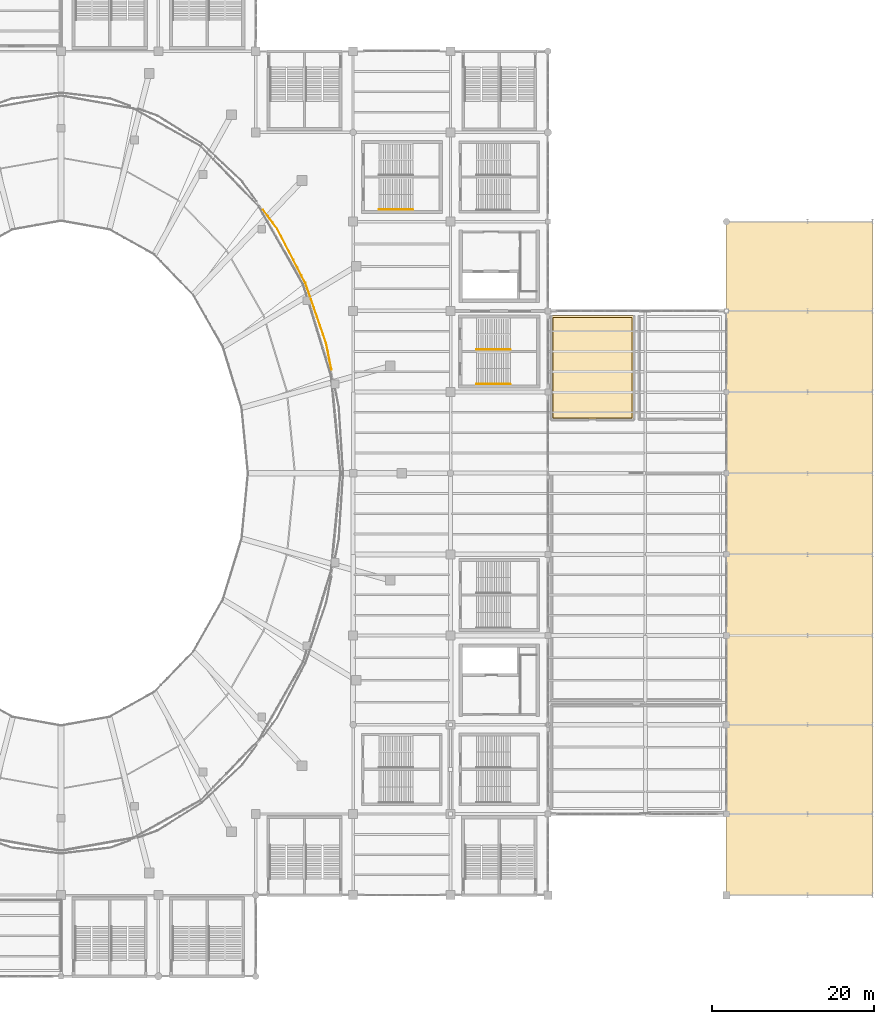
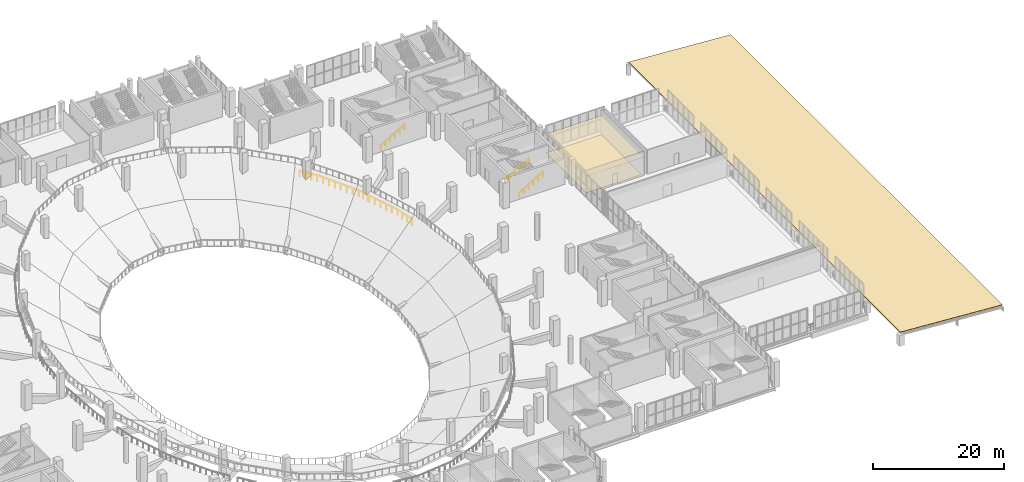
# One storey, part 134 of 136: 5 railings, 3 coverings.
"""IFC4 building model written with IfcOpenShell, lengths in metres."""

from ifc_helpers import new_model, si_unit, direction, frame, origin, origin_2d, place, context, subcontext, project, spatial, polyline, circle, outline, extrude, material, layer, layer_set, type_object, element, save


model = new_model("IFC4")

# Units and contexts
model_context = context("Model", 3, precision=1e-05, world=origin(), true_north=direction((0.0, 1.0)))
body_context = subcontext(model_context, "Body", "Model", "MODEL_VIEW")
ifc_project = project(units=[si_unit("LENGTHUNIT", "METRE"), si_unit("AREAUNIT", "SQUARE_METRE"), si_unit("VOLUMEUNIT", "CUBIC_METRE"), si_unit("PLANEANGLEUNIT", "RADIAN"), si_unit("MASSUNIT", "GRAM", prefix="KILO")], contexts=[model_context])

# Site, building, storey
site_placement = place(None, origin())
site = spatial("IfcSite", under=ifc_project, at=site_placement, CompositionType="ELEMENT")
building_placement = place(site_placement, origin())
building = spatial("IfcBuilding", under=site, at=building_placement, Name="Brinegate Civic Arena", CompositionType="ELEMENT")
storey_placement = place(building_placement, frame((0.0, 0.0, 5.39990234375)))
storey = spatial("IfcBuildingStorey", under=building, at=storey_placement, Name="L01", CompositionType="ELEMENT", Elevation=5.39990234375)

# Coverings
ifc_material_1 = material(Name="Acoustic perforated aluminium ceiling", Category="aluminium")
ifc_layer_1 = layer(ifc_material_1, 0.02490234375, Name="Acoustic perforated aluminium ceiling")
ifc_layer_set_1 = layer_set([ifc_layer_1], Name="Acoustic perforated aluminium ceiling")
covering_type_1 = type_object("IfcCoveringType", Name="CEILING-ACOUSTIC-25", PredefinedType="CEILING", material=ifc_layer_set_1)
covering_1_placement = place(storey_placement, frame((0.0, 0.0, 3.3251953125)))
element("IfcCovering", 1, at=covering_1_placement, inside=storey, type_object=covering_type_1, Name="Acoustic Ceiling L01-011", PredefinedType="CEILING", context=body_context, shape_type="SweptSolid", body=[
    extrude(outline(polyline([(178.60400390625, 81.419921875), (178.60595703125, 81.4189453125), (178.60791015625, 81.41796875), (178.60888671875, 81.41796875), (178.611083984375, 81.4169921875), (178.613037109375, 81.4150390625), (178.614013671875, 81.4140625), (178.614990234375, 81.4130859375), (178.616943359375, 81.410888671875), (178.617919921875, 81.408935546875), (178.617919921875, 81.407958984375), (178.618896484375, 81.406005859375), (178.6201171875, 81.404052734375), (178.6201171875, 81.402099609375), (178.6201171875, 81.39990234375), (178.6201171875, 68.60009765625), (178.6201171875, 68.597900390625), (178.6201171875, 68.595947265625), (178.618896484375, 68.593994140625), (178.617919921875, 68.592041015625), (178.617919921875, 68.591064453125), (178.616943359375, 68.589111328125), (178.614990234375, 68.5869140625), (178.614013671875, 68.5859375), (178.613037109375, 68.5849609375), (178.611083984375, 68.5830078125), (178.60888671875, 68.58203125), (178.60791015625, 68.58203125), (178.60595703125, 68.5810546875), (178.60400390625, 68.580078125), (178.60205078125, 68.580078125), (178.60009765625, 68.580078125), (168.39990234375, 68.580078125), (168.39794921875, 68.580078125), (168.39599609375, 68.580078125), (168.39404296875, 68.5810546875), (168.39208984375, 68.58203125), (168.39111328125, 68.58203125), (168.388916015625, 68.5830078125), (168.386962890625, 68.5849609375), (168.385986328125, 68.5859375), (168.385009765625, 68.5869140625), (168.383056640625, 68.589111328125), (168.382080078125, 68.591064453125), (168.382080078125, 68.592041015625), (168.381103515625, 68.593994140625), (168.3798828125, 68.595947265625), (168.3798828125, 68.597900390625), (168.3798828125, 68.60009765625), (168.3798828125, 71.614990234375), (168.385009765625, 71.614990234375), (168.385009765625, 72.385009765625), (168.3798828125, 72.385009765625), (168.3798828125, 81.39990234375), (168.3798828125, 81.402099609375), (168.3798828125, 81.404052734375), (168.381103515625, 81.406005859375), (168.382080078125, 81.407958984375), (168.382080078125, 81.408935546875), (168.383056640625, 81.410888671875), (168.385009765625, 81.4130859375), (168.385986328125, 81.4140625), (168.386962890625, 81.4150390625), (168.388916015625, 81.4169921875), (168.39111328125, 81.41796875), (168.39208984375, 81.41796875), (168.39404296875, 81.4189453125), (168.39599609375, 81.419921875), (168.39794921875, 81.419921875), (168.39990234375, 81.419921875), (178.60009765625, 81.419921875), (178.60205078125, 81.419921875), (178.60400390625, 81.419921875)])), origin(), (0.0, 0.0, 1.0), 0.02490234375),
])
ifc_material_2 = material(Name="Slip-resistant porcelain tile flooring")
ifc_layer_2 = layer(ifc_material_2, 0.02001953125, Name="Slip-resistant porcelain tile flooring")
ifc_layer_set_2 = layer_set([ifc_layer_2], Name="Slip-resistant porcelain tile flooring")
covering_type_2 = type_object("IfcCoveringType", Name="FLOORING-PORCELAIN-20", PredefinedType="FLOORING", material=ifc_layer_set_2)
covering_2_placement = place(storey_placement, origin())
element("IfcCovering", 2, at=covering_2_placement, inside=storey, type_object=covering_type_2, Name="Flooring L01-011", PredefinedType="FLOORING", context=body_context, shape_type="SweptSolid", body=[
    extrude(outline(polyline([(168.6298828125, 68.830078125), (168.6298828125, 71.56494140625), (168.6298828125, 71.56591796875), (168.634033203125, 71.590087890625), (168.635009765625, 71.614990234375), (168.635009765625, 72.385009765625), (168.634033203125, 72.409912109375), (168.6298828125, 72.43408203125), (168.6298828125, 72.43505859375), (168.6298828125, 81.169921875), (178.3701171875, 81.169921875), (178.3701171875, 68.830078125), (168.6298828125, 68.830078125)])), origin(), (0.0, 0.0, 1.0), 0.02001953125),
])

# Railings
ifc_material_3 = material(Name="Architectural stainless steel balustrade", Category="steel")
railing_type_1 = type_object("IfcRailingType", Name="RAIL-STAIR-HANDRAIL-900", PredefinedType="HANDRAIL", material=ifc_material_3)
for number, where, name in (
    (3, (159.169921875, 72.97509765625, 0.0), "Stair Pitch Handrail ST-09A L01"),
    (4, (159.169921875, 77.22509765625, 0.0), "Stair Pitch Handrail ST-09B L01"),
    (5, (147.169921875, 94.47509765625, 0.0), "Stair Pitch Handrail ST-18A L01"),
):
    element("IfcRailing", number, at=place(storey_placement, frame(where)), inside=storey, type_object=railing_type_1, Name=name, PredefinedType="HANDRAIL", context=body_context, shape_type="SweptSolid", body=[
        extrude(circle(Radius=0.02392578125, at=origin_2d()), frame((0.001220703125, 0.0, 0.876708984375), z_axis=(0.868240036425, 0.0, 0.496144373291), x_axis=(0.0, 1.0, 0.0)), (0.0, 0.0, 1.0), 4.834716796875),
        extrude(circle(Radius=0.02099609375, at=origin_2d()), origin(), (0.0, 0.0, 1.0), 0.849853515625),
        extrude(circle(Radius=0.02099609375, at=origin_2d()), frame((0.840087890625, 0.0, 0.47998046875)), (0.0, 0.0, 1.0), 0.849853515625),
        extrude(circle(Radius=0.02099609375, at=origin_2d()), frame((1.68017578125, 0.0, 0.9599609375)), (0.0, 0.0, 1.0), 0.849853515625),
        extrude(circle(Radius=0.02099609375, at=origin_2d()), frame((2.52001953125, 0.0, 1.440185546875)), (0.0, 0.0, 1.0), 0.849853515625),
        extrude(circle(Radius=0.02099609375, at=origin_2d()), frame((3.360107421875, 0.0, 1.920166015625)), (0.0, 0.0, 1.0), 0.849853515625),
        extrude(circle(Radius=0.02099609375, at=origin_2d()), frame((4.2001953125, 0.0, 2.400146484375)), (0.0, 0.0, 1.0), 0.849853515625),
    ])
railing_type_2 = type_object("IfcRailingType", Name="RAIL-VOID-BALUSTRADE-1120", PredefinedType="BALUSTRADE", material=ifc_material_3)
railing_1_placement = place(storey_placement, frame((141.31689453125, 74.7919921875, 0.0)))
element("IfcRailing", 6, at=railing_1_placement, inside=storey, type_object=railing_type_2, Name="Deck Edge Balustrade L01-095", PredefinedType="BALUSTRADE", context=body_context, shape_type="SweptSolid", body=[
    extrude(circle(Radius=0.02392578125, at=origin_2d()), frame((-0.000244140625, 0.00146484375, 1.09619140625), z_axis=(-0.194675467696, 0.980867708856, 0.0), x_axis=(-0.980867708856, -0.194675467696, 0.0)), (0.0, 0.0, 1.0), 3.2890625),
    extrude(circle(Radius=0.02392578125, at=origin_2d()), frame((-0.641357421875, 3.23046875, 1.09619140625), z_axis=(-0.326766228927, 0.945105196067, 0.0), x_axis=(-0.945105196067, -0.326766228927, 0.0)), (0.0, 0.0, 1.0), 5.72021484375),
    extrude(circle(Radius=0.02099609375, at=origin_2d()), origin(), (0.0, 0.0, 1.0), 1.070068359375),
    extrude(circle(Radius=0.02099609375, at=origin_2d()), frame((-0.213623046875, 1.076416015625, 0.0)), (0.0, 0.0, 1.0), 1.070068359375),
    extrude(circle(Radius=0.02099609375, at=origin_2d()), frame((-0.42724609375, 2.152587890625, 0.0)), (0.0, 0.0, 1.0), 1.070068359375),
    extrude(circle(Radius=0.02099609375, at=origin_2d()), frame((-0.640869140625, 3.22900390625, 0.0)), (0.0, 0.0, 1.0), 1.070068359375),
    extrude(circle(Radius=0.02099609375, at=origin_2d()), frame((-1.014892578125, 4.310791015625, 0.0)), (0.0, 0.0, 1.0), 1.070068359375),
    extrude(circle(Radius=0.02099609375, at=origin_2d()), frame((-1.388916015625, 5.392578125, 0.0)), (0.0, 0.0, 1.0), 1.070068359375),
    extrude(circle(Radius=0.02099609375, at=origin_2d()), frame((-1.762939453125, 6.474365234375, 0.0)), (0.0, 0.0, 1.0), 1.070068359375),
    extrude(circle(Radius=0.02099609375, at=origin_2d()), frame((-2.136962890625, 7.55615234375, 0.0)), (0.0, 0.0, 1.0), 1.070068359375),
    extrude(circle(Radius=0.02099609375, at=origin_2d()), frame((-2.510986328125, 8.637939453125, 0.0)), (0.0, 0.0, 1.0), 1.070068359375),
])
railing_2_placement = place(storey_placement, frame((138.697021484375, 83.7451171875, 0.0)))
element("IfcRailing", 7, at=railing_2_placement, inside=storey, type_object=railing_type_2, Name="Deck Edge Balustrade L01-096", PredefinedType="BALUSTRADE", context=body_context, shape_type="SweptSolid", body=[
    extrude(circle(Radius=0.02392578125, at=origin_2d()), frame((-0.00048828125, 0.00146484375, 1.09619140625), z_axis=(-0.3267279746, 0.945118421476, 0.0), x_axis=(-0.945118421476, -0.3267279746, 0.0)), (0.0, 0.0, 1.0), 1.7724609375),
    extrude(circle(Radius=0.02392578125, at=origin_2d()), frame((-0.580810546875, 1.67919921875, 1.09619140625), z_axis=(-0.460686741804, 0.887562801117, 0.0), x_axis=(-0.887562801117, -0.460686741804, 0.0)), (0.0, 0.0, 1.0), 7.53564453125),
    extrude(circle(Radius=0.02392578125, at=origin_2d()), frame((-4.053955078125, 8.3701171875, 1.09619140625), z_axis=(-0.595077526965, 0.803668300296, 0.0), x_axis=(-0.803668300296, -0.595077526965, 0.0)), (0.0, 0.0, 1.0), 2.916015625),
    extrude(circle(Radius=0.02099609375, at=origin_2d()), origin(), (0.0, 0.0, 1.0), 1.070068359375),
    extrude(circle(Radius=0.02099609375, at=origin_2d()), frame((-0.2900390625, 0.8388671875, 0.0)), (0.0, 0.0, 1.0), 1.070068359375),
    extrude(circle(Radius=0.02099609375, at=origin_2d()), frame((-0.580078125, 1.677978515625, 0.0)), (0.0, 0.0, 1.0), 1.070068359375),
    extrude(circle(Radius=0.02099609375, at=origin_2d()), frame((-1.076171875, 2.6337890625, 0.0)), (0.0, 0.0, 1.0), 1.070068359375),
    extrude(circle(Radius=0.02099609375, at=origin_2d()), frame((-1.572265625, 3.589599609375, 0.0)), (0.0, 0.0, 1.0), 1.070068359375),
    extrude(circle(Radius=0.02099609375, at=origin_2d()), frame((-2.068359375, 4.54541015625, 0.0)), (0.0, 0.0, 1.0), 1.070068359375),
    extrude(circle(Radius=0.02099609375, at=origin_2d()), frame((-2.564697265625, 5.50146484375, 0.0)), (0.0, 0.0, 1.0), 1.070068359375),
    extrude(circle(Radius=0.02099609375, at=origin_2d()), frame((-3.060791015625, 6.457275390625, 0.0)), (0.0, 0.0, 1.0), 1.070068359375),
    extrude(circle(Radius=0.02099609375, at=origin_2d()), frame((-3.556884765625, 7.4130859375, 0.0)), (0.0, 0.0, 1.0), 1.070068359375),
    extrude(circle(Radius=0.02099609375, at=origin_2d()), frame((-4.052978515625, 8.368896484375, 0.0)), (0.0, 0.0, 1.0), 1.070068359375),
    extrude(circle(Radius=0.02099609375, at=origin_2d()), frame((-4.632080078125, 9.15087890625, 0.0)), (0.0, 0.0, 1.0), 1.070068359375),
    extrude(circle(Radius=0.02099609375, at=origin_2d()), frame((-5.2109375, 9.932861328125, 0.0)), (0.0, 0.0, 1.0), 1.070068359375),
    extrude(circle(Radius=0.02099609375, at=origin_2d()), frame((-5.7900390625, 10.71484375, 0.0)), (0.0, 0.0, 1.0), 1.070068359375),
])

# Covering
ifc_material_4 = material(Name="Standing-seam insulated aluminium roofing", Category="aluminium")
ifc_layer_3 = layer(ifc_material_4, 0.080078125, Name="Standing-seam insulated aluminium roofing")
ifc_layer_set_3 = layer_set([ifc_layer_3], Name="Standing-seam insulated aluminium roofing")
covering_type_3 = type_object("IfcCoveringType", Name="ROOFING-CANOPY-SEAM-80", PredefinedType="ROOFING", material=ifc_layer_set_3)
covering_3_placement = place(storey_placement, frame((190.0, 10.0, 2.28515625), z_axis=(0.066516315834, 0.0, 0.997785337499), x_axis=(0.997785337499, 0.0, -0.066516315834)))
element("IfcCovering", 8, at=covering_3_placement, inside=storey, type_object=covering_type_3, Name="Standing Seam Roof Covering RFG-008", PredefinedType="ROOFING", context=body_context, shape_type="SweptSolid", body=[
    extrude(outline(polyline([(0.0, 0.0), (18.03995240611472, 0.0), (18.03995240611472, 83.0), (0.0, 83.0), (0.0, 0.0)])), origin(), (0.0, 0.0, -1.0), 0.080078125),
])

save(model, "model.ifc")
